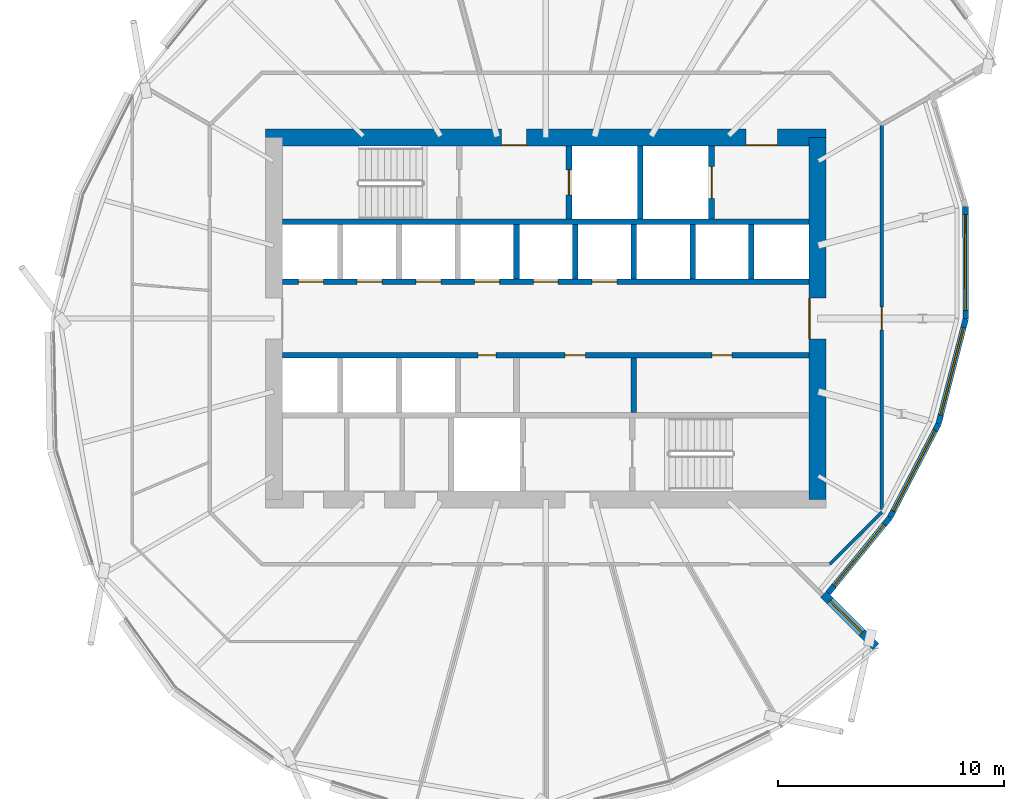
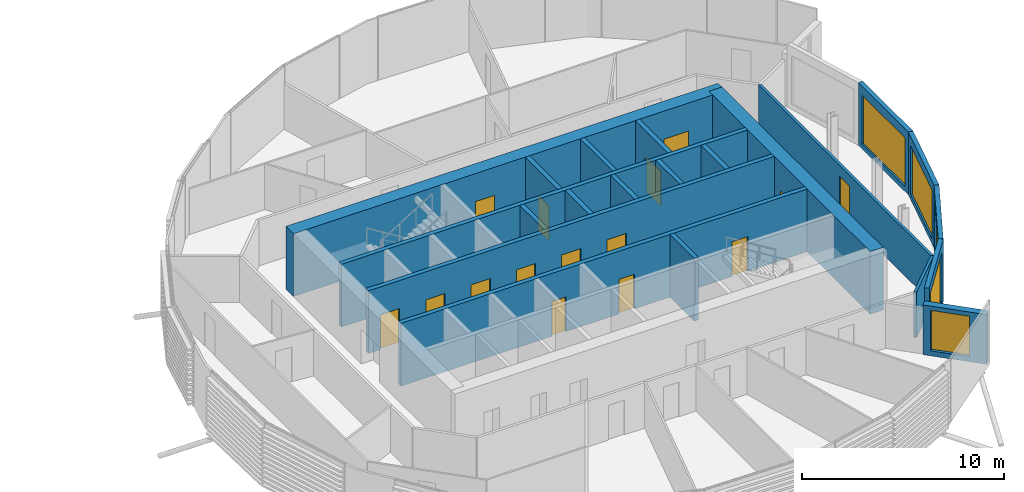
# One storey, part 24 of 38: 21 walls, 15 doors, 5 windows, 20 openings.
"""IFC4 building model written with IfcOpenShell, lengths in metres."""

from ifc_helpers import new_model, si_unit, direction, frame, frame_2d, origin, place, context, subcontext, project, spatial, rectangle, extrude, material, layer, layer_set, type_object, element, fill, save


model = new_model("IFC4")

# Units and contexts
model_context = context("Model", 3, precision=1e-05, world=origin(), true_north=direction((0.0, 1.0)))
body_context = subcontext(model_context, "Body", "Model", "MODEL_VIEW")
ifc_project = project(units=[si_unit("LENGTHUNIT", "METRE"), si_unit("AREAUNIT", "SQUARE_METRE"), si_unit("VOLUMEUNIT", "CUBIC_METRE"), si_unit("PLANEANGLEUNIT", "RADIAN"), si_unit("MASSUNIT", "GRAM", prefix="KILO")], contexts=[model_context])

# Site, building, storey
site_placement = place(None, origin())
site = spatial("IfcSite", under=ifc_project, at=site_placement, CompositionType="ELEMENT")
building_placement = place(site_placement, origin())
building = spatial("IfcBuilding", under=site, at=building_placement, Name="Rimbun Link Towers", CompositionType="ELEMENT")
storey_placement = place(building_placement, frame((0.0, 0.0, 123.39990234375)))
storey = spatial("IfcBuildingStorey", under=building, at=storey_placement, Name="L30", CompositionType="ELEMENT", Elevation=123.39990234375)

# Wall, opening, window
ifc_material_1 = material(Name="Dark enamelled glass spandrel on insulated aluminium backpan", Category="aluminium")
ifc_layer_1 = layer(ifc_material_1, 0.25)
ifc_layer_set_1 = layer_set([ifc_layer_1], Name="CS dark enamelled spandrel wall 250")
wall_type_1 = type_object("IfcWallType", Name="CS dark enamelled spandrel wall 250", PredefinedType="STANDARD", material=ifc_layer_set_1)
wall_1_placement = place(storey_placement, frame((46.958984375, -8.789306640625, 0.0), z_axis=(0.0, 0.0, 1.0), x_axis=(-0.632981787804, -0.774166685093, 0.0)))
wall_1 = element("IfcWall", 1, at=wall_1_placement, inside=storey, type_object=wall_type_1, Name="Crease spandrel wall", PredefinedType="STANDARD", context=body_context, shape_type="SweptSolid", body=[
    extrude(rectangle(XDim=4.31103515625, YDim=0.25, at=frame_2d((2.155517578125, 0.0))), origin(), (0.0, 0.0, 1.0), 3.800048828125),
])
opening_1_placement = place(wall_1_placement, frame((0.405517578125, 0.0, 0.300048828125)))
opening_1 = element("IfcOpeningElement", 2, at=opening_1_placement, cuts=wall_1, Name="Opening WR35H295", PredefinedType="OPENING", context=body_context, shape_type="SweptSolid", body=[
    extrude(rectangle(XDim=3.5, YDim=2.949951171875, at=frame_2d((1.75, 1.47509765625))), frame((0.0, 0.135009765625, 0.0), z_axis=(0.0, -1.0, 0.0), x_axis=(1.0, 0.0, 0.0)), (0.0, 0.0, 1.0), 0.27001953125),
])
ifc_material_2 = material(Name="Aluminium framed fixed window, dark tinted low-e glass", Category="aluminium")
window_type_1 = type_object("IfcWindowType", Name="WR ribbon window 3500X2950", PartitioningType="SINGLE_PANEL", PredefinedType="WINDOW", material=ifc_material_2)
window_1_placement = place(opening_1_placement, origin())
window_1 = element("IfcWindow", 3, at=window_1_placement, inside=storey, type_object=window_type_1, Name="Crease ribbon window", OverallHeight=2.949951171875, OverallWidth=3.5, PartitioningType="SINGLE_PANEL", PredefinedType="WINDOW", context=body_context, shape_type="SweptSolid", body=[
    extrude(rectangle(XDim=3.5, YDim=2.949951171875, at=frame_2d((1.75, 1.47509765625))), frame((0.0, 0.030029296875, 0.0), z_axis=(0.0, -1.0, 0.0), x_axis=(1.0, 0.0, 0.0)), (0.0, 0.0, 1.0), 0.06005859375),
])
fill(opening_1, window_1)

wall_2_placement = place(storey_placement, frame((49.1015625, -4.662841796875, 0.0), z_axis=(0.0, 0.0, 1.0), x_axis=(-0.460813679946, -0.887496902741, 0.0)))
wall_2 = element("IfcWall", 4, at=wall_2_placement, inside=storey, type_object=wall_type_1, Name="Crease spandrel wall", PredefinedType="STANDARD", context=body_context, shape_type="SweptSolid", body=[
    extrude(rectangle(XDim=4.649658203125, YDim=0.25, at=frame_2d((2.32470703125, 0.0))), origin(), (0.0, 0.0, 1.0), 3.800048828125),
])
opening_2_placement = place(wall_2_placement, frame((0.32470703125, 0.0, 0.300048828125)))
opening_2 = element("IfcOpeningElement", 5, at=opening_2_placement, cuts=wall_2, Name="Opening WR40H295", PredefinedType="OPENING", context=body_context, shape_type="SweptSolid", body=[
    extrude(rectangle(XDim=4.0, YDim=2.949951171875, at=frame_2d((2.0, 1.47509765625))), frame((0.0, 0.135009765625, 0.0), z_axis=(0.0, -1.0, 0.0), x_axis=(1.0, 0.0, 0.0)), (0.0, 0.0, 1.0), 0.27001953125),
])
ifc_material_3 = material(Name="Aluminium framed fixed window, dark tinted low-e glass", Category="aluminium")
window_type_2 = type_object("IfcWindowType", Name="WR ribbon window 4000X2950", PartitioningType="SINGLE_PANEL", PredefinedType="WINDOW", material=ifc_material_3)
window_2_placement = place(opening_2_placement, origin())
window_2 = element("IfcWindow", 6, at=window_2_placement, inside=storey, type_object=window_type_2, Name="Crease ribbon window", OverallHeight=2.949951171875, OverallWidth=4.0, PartitioningType="SINGLE_PANEL", PredefinedType="WINDOW", context=body_context, shape_type="SweptSolid", body=[
    extrude(rectangle(XDim=4.0, YDim=2.949951171875, at=frame_2d((2.0, 1.47509765625))), frame((0.0, 0.030029296875, 0.0), z_axis=(0.0, -1.0, 0.0), x_axis=(1.0, 0.0, 0.0)), (0.0, 0.0, 1.0), 0.06005859375),
])
fill(opening_2, window_2)

wall_3_placement = place(storey_placement, frame((50.305419921875, -0.015869140625, 0.0), z_axis=(0.0, 0.0, 1.0), x_axis=(-0.250783887851, -0.968043099038, 0.0)))
wall_3 = element("IfcWall", 7, at=wall_3_placement, inside=storey, type_object=wall_type_1, Name="Crease spandrel wall", PredefinedType="STANDARD", context=body_context, shape_type="SweptSolid", body=[
    extrude(rectangle(XDim=4.80029296875, YDim=0.25, at=frame_2d((2.400146484375, 0.0))), origin(), (0.0, 0.0, 1.0), 3.800048828125),
])
opening_3_placement = place(wall_3_placement, frame((0.400146484375, 0.0, 0.300048828125)))
opening_3 = element("IfcOpeningElement", 8, at=opening_3_placement, cuts=wall_3, Name="Opening WR40H295", PredefinedType="OPENING", context=body_context, shape_type="SweptSolid", body=[
    extrude(rectangle(XDim=4.0, YDim=2.949951171875, at=frame_2d((2.0, 1.47509765625))), frame((0.0, 0.135009765625, 0.0), z_axis=(0.0, -1.0, 0.0), x_axis=(1.0, 0.0, 0.0)), (0.0, 0.0, 1.0), 0.27001953125),
])
window_3_placement = place(opening_3_placement, origin())
window_3 = element("IfcWindow", 9, at=window_3_placement, inside=storey, type_object=window_type_2, Name="Crease ribbon window", OverallHeight=2.949951171875, OverallWidth=4.0, PartitioningType="SINGLE_PANEL", PredefinedType="WINDOW", context=body_context, shape_type="SweptSolid", body=[
    extrude(rectangle(XDim=4.0, YDim=2.949951171875, at=frame_2d((2.0, 1.47509765625))), frame((0.0, 0.030029296875, 0.0), z_axis=(0.0, -1.0, 0.0), x_axis=(1.0, 0.0, 0.0)), (0.0, 0.0, 1.0), 0.06005859375),
])
fill(opening_3, window_3)

wall_4_placement = place(storey_placement, frame((50.295654296875, 4.954345703125, 0.0), z_axis=(0.0, 0.0, 1.0), x_axis=(0.001964825758, -0.999998069728, 0.0)))
wall_4 = element("IfcWall", 10, at=wall_4_placement, inside=storey, type_object=wall_type_1, Name="Crease spandrel wall", PredefinedType="STANDARD", context=body_context, shape_type="SweptSolid", body=[
    extrude(rectangle(XDim=4.97021484375, YDim=0.25, at=frame_2d((2.485107421875, 0.0))), origin(), (0.0, 0.0, 1.0), 3.800048828125),
])
opening_4_placement = place(wall_4_placement, frame((0.360107421875, 0.0, 0.300048828125)))
opening_4 = element("IfcOpeningElement", 11, at=opening_4_placement, cuts=wall_4, Name="Opening WR42H295", PredefinedType="OPENING", context=body_context, shape_type="SweptSolid", body=[
    extrude(rectangle(XDim=4.25, YDim=2.949951171875, at=frame_2d((2.125, 1.47509765625))), frame((0.0, 0.135009765625, 0.0), z_axis=(0.0, -1.0, 0.0), x_axis=(1.0, 0.0, 0.0)), (0.0, 0.0, 1.0), 0.27001953125),
])
ifc_material_4 = material(Name="Aluminium framed fixed window, dark tinted low-e glass", Category="aluminium")
window_type_3 = type_object("IfcWindowType", Name="WR ribbon window 4250X2950", PartitioningType="SINGLE_PANEL", PredefinedType="WINDOW", material=ifc_material_4)
window_4_placement = place(opening_4_placement, origin())
window_4 = element("IfcWindow", 12, at=window_4_placement, inside=storey, type_object=window_type_3, Name="Crease ribbon window", OverallHeight=2.949951171875, OverallWidth=4.25, PartitioningType="SINGLE_PANEL", PredefinedType="WINDOW", context=body_context, shape_type="SweptSolid", body=[
    extrude(rectangle(XDim=4.25, YDim=2.949951171875, at=frame_2d((2.125, 1.47509765625))), frame((0.0, 0.030029296875, 0.0), z_axis=(0.0, -1.0, 0.0), x_axis=(1.0, 0.0, 0.0)), (0.0, 0.0, 1.0), 0.06005859375),
])
fill(opening_4, window_4)

ifc_material_5 = material(Name="Dark enamelled glass spandrel on insulated aluminium backpan", Category="aluminium")
ifc_layer_2 = layer(ifc_material_5, 0.3701171875)
ifc_layer_set_2 = layer_set([ifc_layer_2], Name="CS dark enamelled spandrel wall 370")
wall_type_2 = type_object("IfcWallType", Name="CS dark enamelled spandrel wall 370", PredefinedType="STANDARD", material=ifc_layer_set_2)
wall_5_placement = place(storey_placement, frame((44.0283203125, -12.186279296875, 0.0), z_axis=(0.0, 0.0, 1.0), x_axis=(0.707069562102, -0.707143998312, 0.0)))
wall_5 = element("IfcWall", 13, at=wall_5_placement, inside=storey, type_object=wall_type_2, Name="Crease spandrel wall", PredefinedType="STANDARD", context=body_context, shape_type="SweptSolid", body=[
    extrude(rectangle(XDim=3.27978515625, YDim=0.3701171875, at=frame_2d((1.639892578125, 0.0))), origin(), (0.0, 0.0, 1.0), 3.007568359375),
])
opening_5_placement = place(wall_5_placement, frame((0.397216796875, 0.0, 0.300048828125)))
opening_5 = element("IfcOpeningElement", 14, at=opening_5_placement, cuts=wall_5, Name="Opening WR20H245", PredefinedType="OPENING", context=body_context, shape_type="SweptSolid", body=[
    extrude(rectangle(XDim=2.0, YDim=2.449951171875, at=frame_2d((1.0, 1.22509765625))), frame((0.0, 0.195068359375, 0.0), z_axis=(0.0, -1.0, 0.0), x_axis=(1.0, 0.0, 0.0)), (0.0, 0.0, 1.0), 0.39013671875),
])
ifc_material_6 = material(Name="Aluminium framed fixed window, dark tinted low-e glass", Category="aluminium")
window_type_4 = type_object("IfcWindowType", Name="WR ribbon window 2000X2450", PartitioningType="SINGLE_PANEL", PredefinedType="WINDOW", material=ifc_material_6)
window_5_placement = place(opening_5_placement, origin())
window_5 = element("IfcWindow", 15, at=window_5_placement, inside=storey, type_object=window_type_4, Name="Crease ribbon window", OverallHeight=2.449951171875, OverallWidth=2.0, PartitioningType="SINGLE_PANEL", PredefinedType="WINDOW", context=body_context, shape_type="SweptSolid", body=[
    extrude(rectangle(XDim=2.0, YDim=2.449951171875, at=frame_2d((1.0, 1.22509765625))), frame((0.0, 0.030029296875, 0.0), z_axis=(0.0, -1.0, 0.0), x_axis=(1.0, 0.0, 0.0)), (0.0, 0.0, 1.0), 0.06005859375),
])
fill(opening_5, window_5)

# Wall, openings, doors
ifc_material_7 = material(Name="Concrete C60/75", Category="concrete")
ifc_layer_3 = layer(ifc_material_7, 0.75)
ifc_layer_set_3 = layer_set([ifc_layer_3], Name="Core shear wall 750")
wall_type_3 = type_object("IfcWallType", Name="Core shear wall 750", PredefinedType="SHEAR", material=ifc_layer_set_3)
wall_6_placement = place(storey_placement, frame((19.375, 8.0, 0.0), z_axis=(0.0, 0.0, 1.0), x_axis=(1.0, 0.0, 0.0)))
wall_6 = element("IfcWall", 16, at=wall_6_placement, inside=storey, type_object=wall_type_3, Name="L30 T2 core wall N", PredefinedType="SHEAR", context=body_context, shape_type="SweptSolid", body=[
    extrude(rectangle(XDim=24.75, YDim=0.75, at=frame_2d((12.375, 0.0))), origin(), (0.0, 0.0, 1.0), 3.800048828125),
])
opening_6_placement = place(wall_6_placement, frame((10.425048828125, 0.0, 0.0)))
opening_6 = element("IfcOpeningElement", 17, at=opening_6_placement, cuts=wall_6, Name="Opening C2DCF01N", PredefinedType="OPENING", context=body_context, shape_type="SweptSolid", body=[
    extrude(rectangle(XDim=1.10009765625, YDim=2.10009765625, at=frame_2d((0.550048828125, 1.050048828125))), frame((0.0, 0.385009765625, 0.0), z_axis=(0.0, -1.0, 0.0), x_axis=(1.0, 0.0, 0.0)), (0.0, 0.0, 1.0), 0.77001953125),
])
opening_7_placement = place(wall_6_placement, frame((21.21240234375, 0.0, 0.0)))
opening_7 = element("IfcOpeningElement", 18, at=opening_7_placement, cuts=wall_6, Name="Opening C2DSL02N", PredefinedType="OPENING", context=body_context, shape_type="SweptSolid", body=[
    extrude(rectangle(XDim=1.39990234375, YDim=2.10009765625, at=frame_2d((0.699951171875, 1.050048828125))), frame((0.0, 0.385009765625, 0.0), z_axis=(0.0, -1.0, 0.0), x_axis=(1.0, 0.0, 0.0)), (0.0, 0.0, 1.0), 0.77001953125),
])
ifc_material_8 = material(Name="Steel fire door set", Category="steel")
door_type_1 = type_object("IfcDoorType", Name="Core fire door single", OperationType="SINGLE_SWING_LEFT", PredefinedType="DOOR", material=ifc_material_8)
door_1_placement = place(opening_6_placement, origin())
door_1 = element("IfcDoor", 19, at=door_1_placement, inside=storey, type_object=door_type_1, Name="L30 T2 firefighting lobby n door", OperationType="SINGLE_SWING_LEFT", OverallHeight=2.10009765625, OverallWidth=1.10009765625, PredefinedType="DOOR", context=body_context, shape_type="SweptSolid", body=[
    extrude(rectangle(XDim=1.10009765625, YDim=2.10009765625, at=frame_2d((0.550048828125, 1.050048828125))), frame((0.0, -0.3251953125, 0.0), z_axis=(0.0, -1.0, 0.0), x_axis=(1.0, 0.0, 0.0)), (0.0, 0.0, 1.0), 0.050048828125),
])
fill(opening_6, door_1)
ifc_material_9 = material(Name="Steel fire door set", Category="steel")
door_type_2 = type_object("IfcDoorType", Name="Service lobby door double", OperationType="DOUBLE_DOOR_SINGLE_SWING", PredefinedType="DOOR", material=ifc_material_9)
door_2_placement = place(opening_7_placement, origin())
door_2 = element("IfcDoor", 20, at=door_2_placement, inside=storey, type_object=door_type_2, Name="L30 T2 service lobby door", OperationType="DOUBLE_DOOR_SINGLE_SWING", OverallHeight=2.10009765625, OverallWidth=1.39990234375, PredefinedType="DOOR", context=body_context, shape_type="SweptSolid", body=[
    extrude(rectangle(XDim=1.39990234375, YDim=2.10009765625, at=frame_2d((0.699951171875, 1.050048828125))), frame((0.0, -0.3251953125, 0.0), z_axis=(0.0, -1.0, 0.0), x_axis=(1.0, 0.0, 0.0)), (0.0, 0.0, 1.0), 0.050048828125),
])
fill(opening_7, door_2)

# Wall, opening, door
wall_7_placement = place(storey_placement, frame((43.75, -8.0, 0.0), z_axis=(0.0, 0.0, 1.0), x_axis=(0.0, 1.0, 0.0)))
wall_7 = element("IfcWall", 21, at=wall_7_placement, inside=storey, type_object=wall_type_3, Name="L30 T2 core wall E", PredefinedType="SHEAR", context=body_context, shape_type="SweptSolid", body=[
    extrude(rectangle(XDim=16.0, YDim=0.75, at=frame_2d((8.0, 0.0))), origin(), (0.0, 0.0, 1.0), 3.800048828125),
])
opening_8_placement = place(wall_7_placement, frame((7.10009765625, 0.0, 0.0)))
opening_8 = element("IfcOpeningElement", 22, at=opening_8_placement, cuts=wall_7, Name="Opening C2DCL01E", PredefinedType="OPENING", context=body_context, shape_type="SweptSolid", body=[
    extrude(rectangle(XDim=1.800048828125, YDim=2.10009765625, at=frame_2d((0.89990234375, 1.050048828125))), frame((0.0, 0.385009765625, 0.0), z_axis=(0.0, -1.0, 0.0), x_axis=(1.0, 0.0, 0.0)), (0.0, 0.0, 1.0), 0.77001953125),
])
ifc_material_10 = material(Name="Steel fire door set", Category="steel")
door_type_3 = type_object("IfcDoorType", Name="Core lobby door double", OperationType="DOUBLE_DOOR_SINGLE_SWING", PredefinedType="DOOR", material=ifc_material_10)
door_3_placement = place(opening_8_placement, origin())
door_3 = element("IfcDoor", 23, at=door_3_placement, inside=storey, type_object=door_type_3, Name="L30 T2 lift lobby door", OperationType="DOUBLE_DOOR_SINGLE_SWING", OverallHeight=2.10009765625, OverallWidth=1.800048828125, PredefinedType="DOOR", context=body_context, shape_type="SweptSolid", body=[
    extrude(rectangle(XDim=1.800048828125, YDim=2.10009765625, at=frame_2d((0.89990234375, 1.050048828125))), frame((0.0, 0.375, 0.0), z_axis=(0.0, -1.0, 0.0), x_axis=(1.0, 0.0, 0.0)), (0.0, 0.0, 1.0), 0.050048828125),
])
fill(opening_8, door_3)

ifc_material_11 = material(Name="Plasterboard on steel stud, mineral wool", Category="steel")
ifc_layer_4 = layer(ifc_material_11, 0.14990234375)
ifc_layer_set_4 = layer_set([ifc_layer_4], Name="Corridor wall EI 30 150 mm")
wall_type_4 = type_object("IfcWallType", Name="Corridor wall EI 30 150 mm", PredefinedType="PARTITIONING", material=ifc_layer_set_4)
wall_8_placement = place(storey_placement, frame((46.60009765625, 8.5517578125, 0.0), z_axis=(0.0, 0.0, 1.0), x_axis=(0.0, -1.0, 0.0)))
wall_8 = element("IfcWall", 24, at=wall_8_placement, inside=storey, type_object=wall_type_4, Name="Corridor wall EI 30 150 mm", PredefinedType="PARTITIONING", context=body_context, shape_type="SweptSolid", body=[
    extrude(rectangle(XDim=17.103515625, YDim=0.14990234375, at=frame_2d((8.5517578125, 0.0))), origin(), (0.0, 0.0, 1.0), 2.759033203125),
])
opening_9_placement = place(wall_8_placement, frame((8.0517578125, 0.0, 0.0)))
opening_9 = element("IfcOpeningElement", 25, at=opening_9_placement, cuts=wall_8, Name="Opening D01", PredefinedType="OPENING", context=body_context, shape_type="SweptSolid", body=[
    extrude(rectangle(XDim=1.0, YDim=2.10009765625, at=frame_2d((0.5, 1.050048828125))), frame((0.0, 0.0849609375, 0.0), z_axis=(0.0, -1.0, 0.0), x_axis=(1.0, 0.0, 0.0)), (0.0, 0.0, 1.0), 0.169921875),
])
ifc_material_12 = material(Name="Fire-resisting timber door leaf", Category="wood")
door_type_4 = type_object("IfcDoorType", Name="Fire door FD30S 1000", OperationType="NOTDEFINED", PredefinedType="DOOR", material=ifc_material_12)
door_4_placement = place(opening_9_placement, origin())
door_4 = element("IfcDoor", 26, at=door_4_placement, inside=storey, type_object=door_type_4, Name="Fire door FD30S 1000 to Terrace office", OperationType="SINGLE_SWING_LEFT", OverallHeight=2.10009765625, OverallWidth=1.0, PredefinedType="DOOR", context=body_context, shape_type="SweptSolid", body=[
    extrude(rectangle(XDim=1.0, YDim=2.10009765625, at=frame_2d((0.5, 1.050048828125))), frame((0.0, 0.02490234375, 0.0), z_axis=(0.0, -1.0, 0.0), x_axis=(1.0, 0.0, 0.0)), (0.0, 0.0, 1.0), 0.050048828125),
])
fill(opening_9, door_4)

# Walls
wall_9_placement = place(storey_placement, frame((44.3017578125, -10.85009765625, 0.0), z_axis=(0.0, 0.0, 1.0), x_axis=(0.707106781187, 0.707106781187, 0.0)))
element("IfcWall", 27, at=wall_9_placement, inside=storey, type_object=wall_type_4, Name="Corridor wall EI 30 150 mm", PredefinedType="PARTITIONING", context=body_context, shape_type="SweptSolid", body=[
    extrude(rectangle(XDim=3.250244140625, YDim=0.14990234375, at=frame_2d((1.625, 0.0))), origin(), (0.0, 0.0, 1.0), 2.759033203125),
])
ifc_material_13 = material(Name="Concrete C60/75", Category="concrete")
ifc_layer_5 = layer(ifc_material_13, 0.25)
ifc_layer_set_5 = layer_set([ifc_layer_5], Name="Shaft wall 250")
wall_type_5 = type_object("IfcWallType", Name="Shaft wall 250", PredefinedType="SHEAR", material=ifc_layer_set_5)
wall_10_placement = place(storey_placement, frame((20.125, 4.27490234375, 0.0), z_axis=(0.0, 0.0, 1.0), x_axis=(1.0, 0.0, 0.0)))
element("IfcWall", 28, at=wall_10_placement, inside=storey, type_object=wall_type_5, Name="L30 T2 core wall BN", PredefinedType="SHEAR", context=body_context, shape_type="SweptSolid", body=[
    extrude(rectangle(XDim=23.25, YDim=0.25, at=frame_2d((11.625, 0.0))), origin(), (0.0, 0.0, 1.0), 3.800048828125),
])

# Wall, openings, doors
wall_11_placement = place(storey_placement, frame((20.125, 1.625, 0.0), z_axis=(0.0, 0.0, 1.0), x_axis=(1.0, 0.0, 0.0)))
wall_11 = element("IfcWall", 29, at=wall_11_placement, inside=storey, type_object=wall_type_5, Name="L30 T2 core wall FN", PredefinedType="SHEAR", context=body_context, shape_type="SweptSolid", body=[
    extrude(rectangle(XDim=23.25, YDim=0.25, at=frame_2d((11.625, 0.0))), origin(), (0.0, 0.0, 1.0), 3.800048828125),
])
opening_10_placement = place(wall_11_placement, frame((0.697265625, 0.0, 0.0)))
opening_10 = element("IfcOpeningElement", 30, at=opening_10_placement, cuts=wall_11, Name="Opening LD-T2-LR1", PredefinedType="OPENING", context=body_context, shape_type="SweptSolid", body=[
    extrude(rectangle(XDim=1.10009765625, YDim=2.10009765625, at=frame_2d((0.550048828125, 1.050048828125))), frame((0.0, 0.135009765625, 0.0), z_axis=(0.0, -1.0, 0.0), x_axis=(1.0, 0.0, 0.0)), (0.0, 0.0, 1.0), 0.27001953125),
])
opening_11_placement = place(wall_11_placement, frame((3.291748046875, 0.0, 0.0)))
opening_11 = element("IfcOpeningElement", 31, at=opening_11_placement, cuts=wall_11, Name="Opening LD-T2-LR2", PredefinedType="OPENING", context=body_context, shape_type="SweptSolid", body=[
    extrude(rectangle(XDim=1.10009765625, YDim=2.10009765625, at=frame_2d((0.550048828125, 1.050048828125))), frame((0.0, 0.135009765625, 0.0), z_axis=(0.0, -1.0, 0.0), x_axis=(1.0, 0.0, 0.0)), (0.0, 0.0, 1.0), 0.27001953125),
])
opening_12_placement = place(wall_11_placement, frame((5.885986328125, 0.0, 0.0)))
opening_12 = element("IfcOpeningElement", 32, at=opening_12_placement, cuts=wall_11, Name="Opening LD-T2-LR3", PredefinedType="OPENING", context=body_context, shape_type="SweptSolid", body=[
    extrude(rectangle(XDim=1.10009765625, YDim=2.10009765625, at=frame_2d((0.550048828125, 1.050048828125))), frame((0.0, 0.135009765625, 0.0), z_axis=(0.0, -1.0, 0.0), x_axis=(1.0, 0.0, 0.0)), (0.0, 0.0, 1.0), 0.27001953125),
])
opening_13_placement = place(wall_11_placement, frame((8.480712890625, 0.0, 0.0)))
opening_13 = element("IfcOpeningElement", 33, at=opening_13_placement, cuts=wall_11, Name="Opening LD-T2-LR4", PredefinedType="OPENING", context=body_context, shape_type="SweptSolid", body=[
    extrude(rectangle(XDim=1.10009765625, YDim=2.10009765625, at=frame_2d((0.550048828125, 1.050048828125))), frame((0.0, 0.135009765625, 0.0), z_axis=(0.0, -1.0, 0.0), x_axis=(1.0, 0.0, 0.0)), (0.0, 0.0, 1.0), 0.27001953125),
])
opening_14_placement = place(wall_11_placement, frame((11.074951171875, 0.0, 0.0)))
opening_14 = element("IfcOpeningElement", 34, at=opening_14_placement, cuts=wall_11, Name="Opening LD-T2-LR5", PredefinedType="OPENING", context=body_context, shape_type="SweptSolid", body=[
    extrude(rectangle(XDim=1.10009765625, YDim=2.10009765625, at=frame_2d((0.550048828125, 1.050048828125))), frame((0.0, 0.135009765625, 0.0), z_axis=(0.0, -1.0, 0.0), x_axis=(1.0, 0.0, 0.0)), (0.0, 0.0, 1.0), 0.27001953125),
])
opening_15_placement = place(wall_11_placement, frame((13.66943359375, 0.0, 0.0)))
opening_15 = element("IfcOpeningElement", 35, at=opening_15_placement, cuts=wall_11, Name="Opening LD-T2-LR6", PredefinedType="OPENING", context=body_context, shape_type="SweptSolid", body=[
    extrude(rectangle(XDim=1.10009765625, YDim=2.10009765625, at=frame_2d((0.550048828125, 1.050048828125))), frame((0.0, 0.135009765625, 0.0), z_axis=(0.0, -1.0, 0.0), x_axis=(1.0, 0.0, 0.0)), (0.0, 0.0, 1.0), 0.27001953125),
])
ifc_material_14 = material(Name="Stainless steel grade 316", Category="steel")
door_type_5 = type_object("IfcDoorType", Name="Lift landing door", OperationType="DOUBLE_DOOR_SLIDING", PredefinedType="DOOR", material=ifc_material_14)
door_5_placement = place(opening_10_placement, origin())
door_5 = element("IfcDoor", 36, at=door_5_placement, inside=storey, type_object=door_type_5, Name="L30 T2 lift LR1 landing door", OperationType="DOUBLE_DOOR_SLIDING", OverallHeight=2.10009765625, OverallWidth=1.10009765625, PredefinedType="DOOR", context=body_context, shape_type="SweptSolid", body=[
    extrude(rectangle(XDim=1.10009765625, YDim=2.10009765625, at=frame_2d((0.550048828125, 1.050048828125))), frame((0.0, 0.02490234375, 0.0), z_axis=(0.0, -1.0, 0.0), x_axis=(1.0, 0.0, 0.0)), (0.0, 0.0, 1.0), 0.050048828125),
])
fill(opening_10, door_5)
door_6_placement = place(opening_11_placement, origin())
door_6 = element("IfcDoor", 37, at=door_6_placement, inside=storey, type_object=door_type_5, Name="L30 T2 lift LR2 landing door", OperationType="DOUBLE_DOOR_SLIDING", OverallHeight=2.10009765625, OverallWidth=1.10009765625, PredefinedType="DOOR", context=body_context, shape_type="SweptSolid", body=[
    extrude(rectangle(XDim=1.10009765625, YDim=2.10009765625, at=frame_2d((0.550048828125, 1.050048828125))), frame((0.0, 0.02490234375, 0.0), z_axis=(0.0, -1.0, 0.0), x_axis=(1.0, 0.0, 0.0)), (0.0, 0.0, 1.0), 0.050048828125),
])
fill(opening_11, door_6)
door_7_placement = place(opening_12_placement, origin())
door_7 = element("IfcDoor", 38, at=door_7_placement, inside=storey, type_object=door_type_5, Name="L30 T2 lift LR3 landing door", OperationType="DOUBLE_DOOR_SLIDING", OverallHeight=2.10009765625, OverallWidth=1.10009765625, PredefinedType="DOOR", context=body_context, shape_type="SweptSolid", body=[
    extrude(rectangle(XDim=1.10009765625, YDim=2.10009765625, at=frame_2d((0.550048828125, 1.050048828125))), frame((0.0, 0.02490234375, 0.0), z_axis=(0.0, -1.0, 0.0), x_axis=(1.0, 0.0, 0.0)), (0.0, 0.0, 1.0), 0.050048828125),
])
fill(opening_12, door_7)
door_8_placement = place(opening_13_placement, origin())
door_8 = element("IfcDoor", 39, at=door_8_placement, inside=storey, type_object=door_type_5, Name="L30 T2 lift LR4 landing door", OperationType="DOUBLE_DOOR_SLIDING", OverallHeight=2.10009765625, OverallWidth=1.10009765625, PredefinedType="DOOR", context=body_context, shape_type="SweptSolid", body=[
    extrude(rectangle(XDim=1.10009765625, YDim=2.10009765625, at=frame_2d((0.550048828125, 1.050048828125))), frame((0.0, 0.02490234375, 0.0), z_axis=(0.0, -1.0, 0.0), x_axis=(1.0, 0.0, 0.0)), (0.0, 0.0, 1.0), 0.050048828125),
])
fill(opening_13, door_8)
door_9_placement = place(opening_14_placement, origin())
door_9 = element("IfcDoor", 40, at=door_9_placement, inside=storey, type_object=door_type_5, Name="L30 T2 lift LR5 landing door", OperationType="DOUBLE_DOOR_SLIDING", OverallHeight=2.10009765625, OverallWidth=1.10009765625, PredefinedType="DOOR", context=body_context, shape_type="SweptSolid", body=[
    extrude(rectangle(XDim=1.10009765625, YDim=2.10009765625, at=frame_2d((0.550048828125, 1.050048828125))), frame((0.0, 0.02490234375, 0.0), z_axis=(0.0, -1.0, 0.0), x_axis=(1.0, 0.0, 0.0)), (0.0, 0.0, 1.0), 0.050048828125),
])
fill(opening_14, door_9)
door_10_placement = place(opening_15_placement, origin())
door_10 = element("IfcDoor", 41, at=door_10_placement, inside=storey, type_object=door_type_5, Name="L30 T2 lift LR6 landing door", OperationType="DOUBLE_DOOR_SLIDING", OverallHeight=2.10009765625, OverallWidth=1.10009765625, PredefinedType="DOOR", context=body_context, shape_type="SweptSolid", body=[
    extrude(rectangle(XDim=1.10009765625, YDim=2.10009765625, at=frame_2d((0.550048828125, 1.050048828125))), frame((0.0, 0.02490234375, 0.0), z_axis=(0.0, -1.0, 0.0), x_axis=(1.0, 0.0, 0.0)), (0.0, 0.0, 1.0), 0.050048828125),
])
fill(opening_15, door_10)

wall_12_placement = place(storey_placement, frame((20.125, -1.625, 0.0), z_axis=(0.0, 0.0, 1.0), x_axis=(1.0, 0.0, 0.0)))
wall_12 = element("IfcWall", 42, at=wall_12_placement, inside=storey, type_object=wall_type_5, Name="L30 T2 core wall FS", PredefinedType="SHEAR", context=body_context, shape_type="SweptSolid", body=[
    extrude(rectangle(XDim=23.25, YDim=0.25, at=frame_2d((11.625, 0.0))), origin(), (0.0, 0.0, 1.0), 3.800048828125),
])
opening_16_placement = place(wall_12_placement, frame((8.630615234375, 0.0, 0.0)))
opening_16 = element("IfcOpeningElement", 43, at=opening_16_placement, cuts=wall_12, Name="Opening C2DRA01FS", PredefinedType="OPENING", context=body_context, shape_type="SweptSolid", body=[
    extrude(rectangle(XDim=0.800048828125, YDim=2.10009765625, at=frame_2d((0.39990234375, 1.050048828125))), frame((0.0, 0.135009765625, 0.0), z_axis=(0.0, -1.0, 0.0), x_axis=(1.0, 0.0, 0.0)), (0.0, 0.0, 1.0), 0.27001953125),
])
opening_17_placement = place(wall_12_placement, frame((12.47216796875, 0.0, 0.0)))
opening_17 = element("IfcOpeningElement", 44, at=opening_17_placement, cuts=wall_12, Name="Opening C2DRS02FS", PredefinedType="OPENING", context=body_context, shape_type="SweptSolid", body=[
    extrude(rectangle(XDim=0.89990234375, YDim=2.10009765625, at=frame_2d((0.449951171875, 1.050048828125))), frame((0.0, 0.135009765625, 0.0), z_axis=(0.0, -1.0, 0.0), x_axis=(1.0, 0.0, 0.0)), (0.0, 0.0, 1.0), 0.27001953125),
])
opening_18_placement = place(wall_12_placement, frame((18.958251953125, 0.0, 0.0)))
opening_18 = element("IfcOpeningElement", 45, at=opening_18_placement, cuts=wall_12, Name="Opening C2DRS03FS", PredefinedType="OPENING", context=body_context, shape_type="SweptSolid", body=[
    extrude(rectangle(XDim=0.89990234375, YDim=2.10009765625, at=frame_2d((0.449951171875, 1.050048828125))), frame((0.0, 0.135009765625, 0.0), z_axis=(0.0, -1.0, 0.0), x_axis=(1.0, 0.0, 0.0)), (0.0, 0.0, 1.0), 0.27001953125),
])
ifc_material_15 = material(Name="Steel fire door set", Category="steel")
door_type_6 = type_object("IfcDoorType", Name="Core riser door", OperationType="SINGLE_SWING_LEFT", PredefinedType="DOOR", material=ifc_material_15)
door_11_placement = place(opening_17_placement, origin())
door_11 = element("IfcDoor", 46, at=door_11_placement, inside=storey, type_object=door_type_6, Name="L30 T2 mail room door", OperationType="SINGLE_SWING_LEFT", OverallHeight=2.10009765625, OverallWidth=0.89990234375, PredefinedType="DOOR", context=body_context, shape_type="SweptSolid", body=[
    extrude(rectangle(XDim=0.89990234375, YDim=2.10009765625, at=frame_2d((0.449951171875, 1.050048828125))), frame((0.0, 0.02490234375, 0.0), z_axis=(0.0, -1.0, 0.0), x_axis=(1.0, 0.0, 0.0)), (0.0, 0.0, 1.0), 0.050048828125),
])
fill(opening_17, door_11)
door_12_placement = place(opening_18_placement, origin())
door_12 = element("IfcDoor", 47, at=door_12_placement, inside=storey, type_object=door_type_6, Name="L30 T2 plant room door", OperationType="SINGLE_SWING_LEFT", OverallHeight=2.10009765625, OverallWidth=0.89990234375, PredefinedType="DOOR", context=body_context, shape_type="SweptSolid", body=[
    extrude(rectangle(XDim=0.89990234375, YDim=2.10009765625, at=frame_2d((0.449951171875, 1.050048828125))), frame((0.0, 0.02490234375, 0.0), z_axis=(0.0, -1.0, 0.0), x_axis=(1.0, 0.0, 0.0)), (0.0, 0.0, 1.0), 0.050048828125),
])
fill(opening_18, door_12)
ifc_material_16 = material(Name="Steel fire door set", Category="steel")
door_type_7 = type_object("IfcDoorType", Name="Riser access door 800 x 2100", OperationType="SINGLE_SWING_LEFT", PredefinedType="DOOR", material=ifc_material_16)
door_13_placement = place(opening_16_placement, origin())
door_13 = element("IfcDoor", 48, at=door_13_placement, inside=storey, type_object=door_type_7, Name="L30 T2 riser cupboard door", OperationType="SINGLE_SWING_LEFT", OverallHeight=2.10009765625, OverallWidth=0.800048828125, PredefinedType="DOOR", context=body_context, shape_type="SweptSolid", body=[
    extrude(rectangle(XDim=0.800048828125, YDim=2.10009765625, at=frame_2d((0.39990234375, 1.050048828125))), frame((0.0, 0.02490234375, 0.0), z_axis=(0.0, -1.0, 0.0), x_axis=(1.0, 0.0, 0.0)), (0.0, 0.0, 1.0), 0.050048828125),
])
fill(opening_16, door_13)

# Walls
for number, where, z_axis, x_axis, name in (
    (49, (30.452880859375, 1.75, 0.0), (0.0, 0.0, 1.0), (0.0, 1.0, 0.0), "L30 T2 core wall DN3"),
    (50, (33.047119140625, 1.75, 0.0), (0.0, 0.0, 1.0), (0.0, 1.0, 0.0), "L30 T2 core wall DN4"),
    (51, (35.6416015625, 1.75, 0.0), (0.0, 0.0, 1.0), (0.0, 1.0, 0.0), "L30 T2 core wall DN5"),
    (52, (38.236083984375, 1.75, 0.0), (0.0, 0.0, 1.0), (0.0, 1.0, 0.0), "L30 T2 core wall DN6"),
    (53, (40.83056640625, 1.75, 0.0), (0.0, 0.0, 1.0), (0.0, 1.0, 0.0), "L30 T2 core wall DN7"),
    (54, (35.6416015625, -4.14990234375, 0.0), (0.0, 0.0, 1.0), (0.0, 1.0, 0.0), "L30 T2 core wall DS5"),
):
    element("IfcWall", number, at=place(storey_placement, frame(where, z_axis=z_axis, x_axis=x_axis)), inside=storey, type_object=wall_type_5, Name=name, PredefinedType="SHEAR", context=body_context, shape_type="SweptSolid", body=[
        extrude(rectangle(XDim=2.39990234375, YDim=0.25, at=frame_2d((1.199951171875, 0.0))), origin(), (0.0, 0.0, 1.0), 3.800048828125),
    ])

# Wall, opening, door
wall_13_placement = place(storey_placement, frame((32.77490234375, 4.39990234375, 0.0), z_axis=(0.0, 0.0, 1.0), x_axis=(0.0, 1.0, 0.0)))
wall_13 = element("IfcWall", 55, at=wall_13_placement, inside=storey, type_object=wall_type_5, Name="L30 T2 core wall A2", PredefinedType="SHEAR", context=body_context, shape_type="SweptSolid", body=[
    extrude(rectangle(XDim=3.22509765625, YDim=0.25, at=frame_2d((1.612548828125, 0.0))), origin(), (0.0, 0.0, 1.0), 3.800048828125),
])
opening_19_placement = place(wall_13_placement, frame((1.0625, 0.0, 0.0)))
opening_19 = element("IfcOpeningElement", 56, at=opening_19_placement, cuts=wall_13, Name="Opening LD-T2-FF1", PredefinedType="OPENING", context=body_context, shape_type="SweptSolid", body=[
    extrude(rectangle(XDim=1.10009765625, YDim=2.10009765625, at=frame_2d((0.550048828125, 1.050048828125))), frame((0.0, 0.135009765625, 0.0), z_axis=(0.0, -1.0, 0.0), x_axis=(1.0, 0.0, 0.0)), (0.0, 0.0, 1.0), 0.27001953125),
])
door_14_placement = place(opening_19_placement, origin())
door_14 = element("IfcDoor", 57, at=door_14_placement, inside=storey, type_object=door_type_5, Name="L30 T2 lift FF1 landing door", OperationType="DOUBLE_DOOR_SLIDING", OverallHeight=2.10009765625, OverallWidth=1.10009765625, PredefinedType="DOOR", context=body_context, shape_type="SweptSolid", body=[
    extrude(rectangle(XDim=1.10009765625, YDim=2.10009765625, at=frame_2d((0.550048828125, 1.050048828125))), frame((0.0, 0.02490234375, 0.0), z_axis=(0.0, -1.0, 0.0), x_axis=(1.0, 0.0, 0.0)), (0.0, 0.0, 1.0), 0.050048828125),
])
fill(opening_19, door_14)

# Wall
wall_14_placement = place(storey_placement, frame((35.925048828125, 4.39990234375, 0.0), z_axis=(0.0, 0.0, 1.0), x_axis=(0.0, 1.0, 0.0)))
element("IfcWall", 58, at=wall_14_placement, inside=storey, type_object=wall_type_5, Name="L30 T2 core wall A3", PredefinedType="SHEAR", context=body_context, shape_type="SweptSolid", body=[
    extrude(rectangle(XDim=3.22509765625, YDim=0.25, at=frame_2d((1.612548828125, 0.0))), origin(), (0.0, 0.0, 1.0), 3.800048828125),
])

# Wall, opening, door
wall_15_placement = place(storey_placement, frame((39.074951171875, 4.39990234375, 0.0), z_axis=(0.0, 0.0, 1.0), x_axis=(0.0, 1.0, 0.0)))
wall_15 = element("IfcWall", 59, at=wall_15_placement, inside=storey, type_object=wall_type_5, Name="L30 T2 core wall A4", PredefinedType="SHEAR", context=body_context, shape_type="SweptSolid", body=[
    extrude(rectangle(XDim=3.22509765625, YDim=0.25, at=frame_2d((1.612548828125, 0.0))), origin(), (0.0, 0.0, 1.0), 3.800048828125),
])
opening_20_placement = place(wall_15_placement, frame((0.91259765625, 0.0, 0.0)))
opening_20 = element("IfcOpeningElement", 60, at=opening_20_placement, cuts=wall_15, Name="Opening LD-T2-GL1", PredefinedType="OPENING", context=body_context, shape_type="SweptSolid", body=[
    extrude(rectangle(XDim=1.39990234375, YDim=2.10009765625, at=frame_2d((0.699951171875, 1.050048828125))), frame((0.0, 0.135009765625, 0.0), z_axis=(0.0, -1.0, 0.0), x_axis=(1.0, 0.0, 0.0)), (0.0, 0.0, 1.0), 0.27001953125),
])
ifc_material_17 = material(Name="Stainless steel grade 316", Category="steel")
door_type_8 = type_object("IfcDoorType", Name="Goods lift landing door", OperationType="DOUBLE_DOOR_SLIDING", PredefinedType="DOOR", material=ifc_material_17)
door_15_placement = place(opening_20_placement, origin())
door_15 = element("IfcDoor", 61, at=door_15_placement, inside=storey, type_object=door_type_8, Name="L30 T2 lift GL1 landing door", OperationType="DOUBLE_DOOR_SLIDING", OverallHeight=2.10009765625, OverallWidth=1.39990234375, PredefinedType="DOOR", context=body_context, shape_type="SweptSolid", body=[
    extrude(rectangle(XDim=1.39990234375, YDim=2.10009765625, at=frame_2d((0.699951171875, 1.050048828125))), frame((0.0, 0.02490234375, 0.0), z_axis=(0.0, -1.0, 0.0), x_axis=(1.0, 0.0, 0.0)), (0.0, 0.0, 1.0), 0.050048828125),
])
fill(opening_20, door_15)

save(model, "model.ifc")
